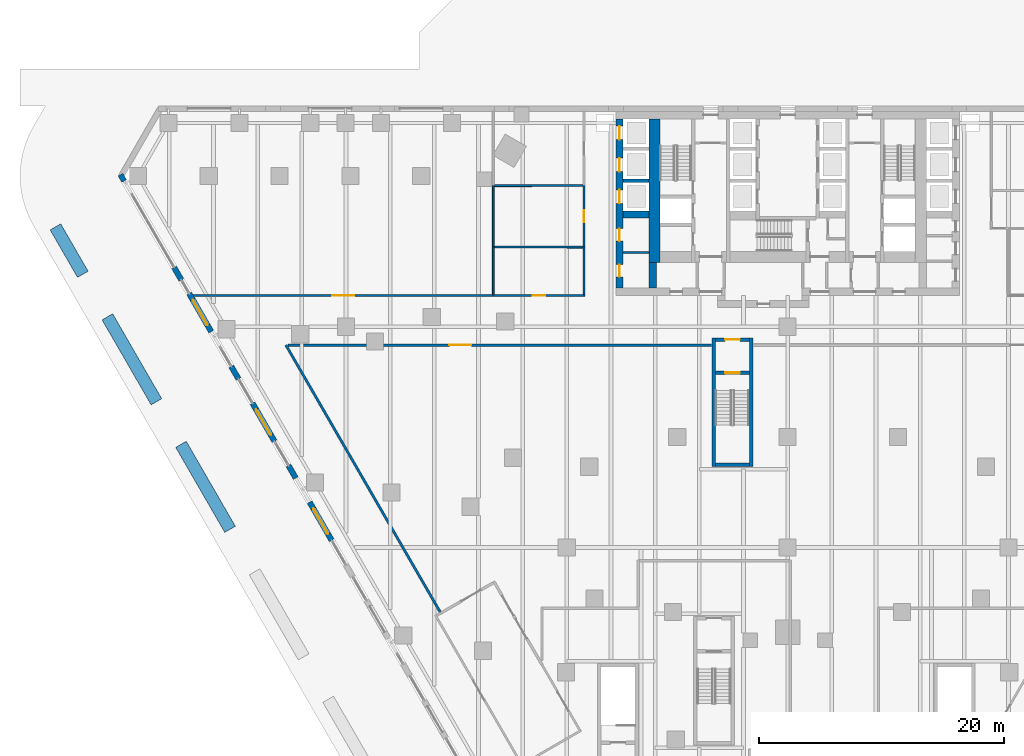
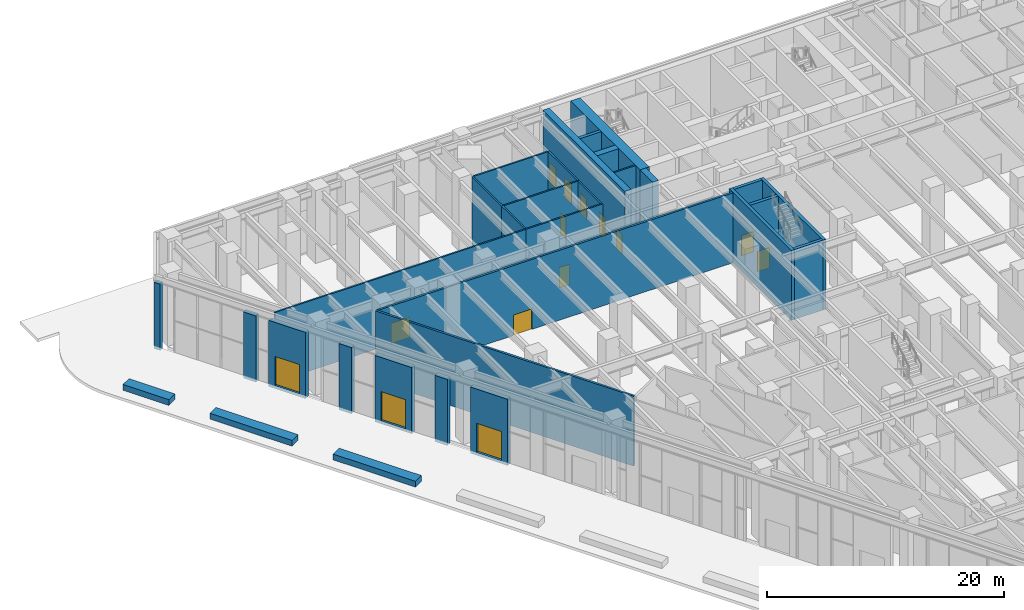
# One storey, part 28 of 37: 31 walls, 14 doors, 14 openings.
"""IFC4 building model written with IfcOpenShell, lengths in metres."""

from ifc_helpers import new_model, si_unit, direction, frame, frame_2d, origin, place, context, subcontext, project, spatial, rectangle, extrude, material, layer, layer_set, type_object, element, fill, save


model = new_model("IFC4")

# Units and contexts
model_context = context("Model", 3, precision=1e-05, world=origin(), true_north=direction((0.0, 1.0)))
body_context = subcontext(model_context, "Body", "Model", "MODEL_VIEW")
ifc_project = project(units=[si_unit("LENGTHUNIT", "METRE"), si_unit("AREAUNIT", "SQUARE_METRE"), si_unit("VOLUMEUNIT", "CUBIC_METRE"), si_unit("PLANEANGLEUNIT", "RADIAN"), si_unit("MASSUNIT", "GRAM", prefix="KILO")], contexts=[model_context])

# Site, building, storey
site_placement = place(None, origin())
site = spatial("IfcSite", under=ifc_project, at=site_placement, CompositionType="ELEMENT")
building_placement = place(site_placement, origin())
building = spatial("IfcBuilding", under=site, at=building_placement, Name="Aloe Facet Convention Tower", CompositionType="ELEMENT")
storey_placement = place(building_placement, origin())
storey = spatial("IfcBuildingStorey", under=building, at=storey_placement, Name="L00", CompositionType="ELEMENT", Elevation=0.0)

# Walls
ifc_material_1 = material(Name="Concrete blockwork partition", Category="masonry")
ifc_layer_1 = layer(ifc_material_1, 0.14990234375)
ifc_layer_set_1 = layer_set([ifc_layer_1], Name="CR-W-PART150")
wall_type_1 = type_object("IfcWallType", Name="CR-W-PART150", PredefinedType="PARTITIONING", material=ifc_layer_set_1)
wall_1_placement = place(storey_placement, frame((66.60009765625, 123.048583984375, 0.0), z_axis=(0.0, 0.0, 1.0), x_axis=(1.0, 0.0, 0.0)))
element("IfcWall", 1, at=wall_1_placement, inside=storey, type_object=wall_type_1, Name="Core partition L00-007", PredefinedType="PARTITIONING", context=body_context, shape_type="SweptSolid", body=[
    extrude(rectangle(XDim=2.099853515625, YDim=0.14990234375, at=frame_2d((1.0498046875, 0.0))), origin(), (0.0, 0.0, 1.0), 7.199951171875),
])
ifc_material_2 = material(Name="Concrete C50/60", Category="concrete")
ifc_layer_2 = layer(ifc_material_2, 0.300048828125)
ifc_layer_set_2 = layer_set([ifc_layer_2], Name="CR-W-RC300-C5060")
wall_type_2 = type_object("IfcWallType", Name="CR-W-RC300-C5060", PredefinedType="SOLIDWALL", material=ifc_layer_set_2)
for number, where, z_axis, x_axis, name in (
    (2, (73.97509765625, 105.60009765625, 0.0), (0.0, 0.0, 1.0), (0.0, 1.0, 0.0), "Exit stair wall L00-06"),
    (3, (77.02490234375, 105.60009765625, 0.0), (0.0, 0.0, 1.0), (0.0, 1.0, 0.0), "Exit stair wall L00-07"),
):
    element("IfcWall", number, at=place(storey_placement, frame(where, z_axis=z_axis, x_axis=x_axis)), inside=storey, type_object=wall_type_2, Name=name, PredefinedType="SOLIDWALL", context=body_context, shape_type="SweptSolid", body=[
        extrude(rectangle(XDim=10.5, YDim=0.300048828125, at=frame_2d((5.25, 0.0))), origin(), (0.0, 0.0, 1.0), 7.199951171875),
    ])
wall_2_placement = place(storey_placement, frame((74.125, 105.75, 0.0), z_axis=(0.0, 0.0, 1.0), x_axis=(1.0, 0.0, 0.0)))
element("IfcWall", 4, at=wall_2_placement, inside=storey, type_object=wall_type_2, Name="Exit stair wall L00-08", PredefinedType="SOLIDWALL", context=body_context, shape_type="SweptSolid", body=[
    extrude(rectangle(XDim=2.75, YDim=0.300048828125, at=frame_2d((1.375, 0.0))), origin(), (0.0, 0.0, 1.0), 7.199951171875),
])

# Wall, opening, door
wall_3_placement = place(storey_placement, frame((74.125, 113.25, 0.0), z_axis=(0.0, 0.0, 1.0), x_axis=(1.0, 0.0, 0.0)))
wall_3 = element("IfcWall", 5, at=wall_3_placement, inside=storey, type_object=wall_type_2, Name="Exit stair wall L00-09", PredefinedType="SOLIDWALL", context=body_context, shape_type="SweptSolid", body=[
    extrude(rectangle(XDim=2.75, YDim=0.300048828125, at=frame_2d((1.375, 0.0))), origin(), (0.0, 0.0, 1.0), 7.199951171875),
])
opening_1_placement = place(wall_3_placement, frame((0.77490234375, 0.0, 0.0)))
opening_1 = element("IfcOpeningElement", 6, at=opening_1_placement, cuts=wall_3, Name="Opening L00-ST5-01", PredefinedType="OPENING", context=body_context, shape_type="SweptSolid", body=[
    extrude(rectangle(XDim=1.199951171875, YDim=2.10009765625, at=frame_2d((0.60009765625, 1.050048828125))), frame((0.0, 0.16015625, 0.0), z_axis=(0.0, -1.0, 0.0), x_axis=(1.0, 0.0, 0.0)), (0.0, 0.0, 1.0), 0.320068359375),
])
ifc_material_3 = material(Name="Steel fire-resisting door set FD120", Category="steel")
door_type_1 = type_object("IfcDoorType", Name="CR-D-STAIR-1200-FD120-SLEFT", OperationType="SINGLE_SWING_LEFT", PredefinedType="DOOR", material=ifc_material_3)
door_1_placement = place(opening_1_placement, origin())
door_1 = element("IfcDoor", 7, at=door_1_placement, inside=storey, type_object=door_type_1, Name="Stair door L00-ST5-01", OperationType="SINGLE_SWING_LEFT", OverallHeight=2.10009765625, OverallWidth=1.199951171875, PredefinedType="DOOR", context=body_context, shape_type="SweptSolid", body=[
    extrude(rectangle(XDim=1.199951171875, YDim=2.10009765625, at=frame_2d((0.60009765625, 1.050048828125))), frame((0.0, 0.02490234375, 0.0), z_axis=(0.0, -1.0, 0.0), x_axis=(1.0, 0.0, 0.0)), (0.0, 0.0, 1.0), 0.050048828125),
])
fill(opening_1, door_1)

wall_4_placement = place(storey_placement, frame((74.125, 115.949951171875, 0.0), z_axis=(0.0, 0.0, 1.0), x_axis=(1.0, 0.0, 0.0)))
wall_4 = element("IfcWall", 8, at=wall_4_placement, inside=storey, type_object=wall_type_2, Name="Exit stair wall L00-10", PredefinedType="SOLIDWALL", context=body_context, shape_type="SweptSolid", body=[
    extrude(rectangle(XDim=2.75, YDim=0.300048828125, at=frame_2d((1.375, 0.0))), origin(), (0.0, 0.0, 1.0), 7.199951171875),
])
opening_2_placement = place(wall_4_placement, frame((0.77490234375, 0.0, 0.0)))
opening_2 = element("IfcOpeningElement", 9, at=opening_2_placement, cuts=wall_4, Name="Opening L00-ST5-02", PredefinedType="OPENING", context=body_context, shape_type="SweptSolid", body=[
    extrude(rectangle(XDim=1.199951171875, YDim=2.10009765625, at=frame_2d((0.60009765625, 1.050048828125))), frame((0.0, 0.16015625, 0.0), z_axis=(0.0, -1.0, 0.0), x_axis=(1.0, 0.0, 0.0)), (0.0, 0.0, 1.0), 0.320068359375),
])
ifc_material_4 = material(Name="Steel fire-resisting door set FD60", Category="steel")
door_type_2 = type_object("IfcDoorType", Name="CR-D-EXIT-1200-FD60-SRIGHT", OperationType="SINGLE_SWING_RIGHT", PredefinedType="DOOR", material=ifc_material_4)
door_2_placement = place(opening_2_placement, origin())
door_2 = element("IfcDoor", 10, at=door_2_placement, inside=storey, type_object=door_type_2, Name="Stair lobby door L00-ST5-02", OperationType="SINGLE_SWING_RIGHT", OverallHeight=2.10009765625, OverallWidth=1.199951171875, PredefinedType="DOOR", context=body_context, shape_type="SweptSolid", body=[
    extrude(rectangle(XDim=1.199951171875, YDim=2.10009765625, at=frame_2d((0.60009765625, 1.050048828125))), frame((0.0, 0.02490234375, 0.0), z_axis=(0.0, -1.0, 0.0), x_axis=(1.0, 0.0, 0.0)), (0.0, 0.0, 1.0), 0.050048828125),
])
fill(opening_2, door_2)

# Wall
ifc_material_5 = material(Name="Concrete C80/95", Category="concrete")
ifc_layer_3 = layer(ifc_material_5, 0.300048828125)
ifc_layer_set_3 = layer_set([ifc_layer_3], Name="CR-W-RC300-C8095")
wall_type_3 = type_object("IfcWallType", Name="CR-W-RC300-C8095", PredefinedType="SOLIDWALL", material=ifc_layer_set_3)
wall_5_placement = place(storey_placement, frame((66.60009765625, 128.89990234375, 0.0), z_axis=(0.0, 0.0, 1.0), x_axis=(1.0, 0.0, 0.0)))
element("IfcWall", 11, at=wall_5_placement, inside=storey, type_object=wall_type_3, Name="Core wall L00-005", PredefinedType="SOLIDWALL", context=body_context, shape_type="SweptSolid", body=[
    extrude(rectangle(XDim=2.099853515625, YDim=0.300048828125, at=frame_2d((1.0498046875, 0.0))), origin(), (0.0, 0.0, 1.0), 7.199951171875),
])

# Wall, openings, doors
ifc_material_6 = material(Name="Concrete C80/95", Category="concrete")
ifc_layer_4 = layer(ifc_material_6, 0.60009765625)
ifc_layer_set_4 = layer_set([ifc_layer_4], Name="CR-W-RC600-C8095")
wall_type_4 = type_object("IfcWallType", Name="CR-W-RC600-C8095", PredefinedType="SOLIDWALL", material=ifc_layer_set_4)
wall_6_placement = place(storey_placement, frame((66.300048828125, 133.949951171875, 0.0), z_axis=(0.0, 0.0, 1.0), x_axis=(0.0, -1.0, 0.0)))
wall_6 = element("IfcWall", 12, at=wall_6_placement, inside=storey, type_object=wall_type_4, Name="Core wall L00-002", PredefinedType="SOLIDWALL", context=body_context, shape_type="SweptSolid", body=[
    extrude(rectangle(XDim=13.800048828125, YDim=0.60009765625, at=frame_2d((6.89990234375, 0.0))), origin(), (0.0, 0.0, 1.0), 7.199951171875),
])
opening_3_placement = place(wall_6_placement, frame((0.60009765625, 0.0, 0.0)))
opening_3 = element("IfcOpeningElement", 13, at=opening_3_placement, cuts=wall_6, Name="Opening LD-A7-L00", PredefinedType="OPENING", context=body_context, shape_type="SweptSolid", body=[
    extrude(rectangle(XDim=1.10009765625, YDim=2.10009765625, at=frame_2d((0.550048828125, 1.050048828125))), frame((0.0, 0.31005859375, 0.0), z_axis=(0.0, -1.0, 0.0), x_axis=(1.0, 0.0, 0.0)), (0.0, 0.0, 1.0), 0.6201171875),
])
opening_4_placement = place(wall_6_placement, frame((3.199951171875, 0.0, 0.0)))
opening_4 = element("IfcOpeningElement", 14, at=opening_4_placement, cuts=wall_6, Name="Opening LD-SH1-L00", PredefinedType="OPENING", context=body_context, shape_type="SweptSolid", body=[
    extrude(rectangle(XDim=1.10009765625, YDim=2.10009765625, at=frame_2d((0.550048828125, 1.050048828125))), frame((0.0, 0.31005859375, 0.0), z_axis=(0.0, -1.0, 0.0), x_axis=(1.0, 0.0, 0.0)), (0.0, 0.0, 1.0), 0.6201171875),
])
opening_5_placement = place(wall_6_placement, frame((5.800048828125, 0.0, 0.0)))
opening_5 = element("IfcOpeningElement", 15, at=opening_5_placement, cuts=wall_6, Name="Opening LD-SH2-L00", PredefinedType="OPENING", context=body_context, shape_type="SweptSolid", body=[
    extrude(rectangle(XDim=1.10009765625, YDim=2.10009765625, at=frame_2d((0.550048828125, 1.050048828125))), frame((0.0, 0.31005859375, 0.0), z_axis=(0.0, -1.0, 0.0), x_axis=(1.0, 0.0, 0.0)), (0.0, 0.0, 1.0), 0.6201171875),
])
opening_6_placement = place(wall_6_placement, frame((8.963134765625, 0.0, 0.0)))
opening_6 = element("IfcOpeningElement", 16, at=opening_6_placement, cuts=wall_6, Name="Opening L00-CD36", PredefinedType="OPENING", context=body_context, shape_type="SweptSolid", body=[
    extrude(rectangle(XDim=1.0, YDim=2.10009765625, at=frame_2d((0.5, 1.050048828125))), frame((0.0, 0.31005859375, 0.0), z_axis=(0.0, -1.0, 0.0), x_axis=(1.0, 0.0, 0.0)), (0.0, 0.0, 1.0), 0.6201171875),
])
opening_7_placement = place(wall_6_placement, frame((11.88818359375, 0.0, 0.0)))
opening_7 = element("IfcOpeningElement", 17, at=opening_7_placement, cuts=wall_6, Name="Opening L00-CD37", PredefinedType="OPENING", context=body_context, shape_type="SweptSolid", body=[
    extrude(rectangle(XDim=1.0, YDim=2.10009765625, at=frame_2d((0.5, 1.050048828125))), frame((0.0, 0.31005859375, 0.0), z_axis=(0.0, -1.0, 0.0), x_axis=(1.0, 0.0, 0.0)), (0.0, 0.0, 1.0), 0.6201171875),
])
ifc_material_7 = material(Name="Steel fire-resisting door set FD60", Category="steel")
door_type_3 = type_object("IfcDoorType", Name="CR-D-ROOM-1000-FD60-SLEFT", OperationType="SINGLE_SWING_LEFT", PredefinedType="DOOR", material=ifc_material_7)
door_3_placement = place(opening_6_placement, origin())
door_3 = element("IfcDoor", 18, at=door_3_placement, inside=storey, type_object=door_type_3, Name="Core door L00-CD36", OperationType="SINGLE_SWING_LEFT", OverallHeight=2.10009765625, OverallWidth=1.0, PredefinedType="DOOR", context=body_context, shape_type="SweptSolid", body=[
    extrude(rectangle(XDim=1.0, YDim=2.10009765625, at=frame_2d((0.5, 1.050048828125))), frame((0.0, 0.02490234375, 0.0), z_axis=(0.0, -1.0, 0.0), x_axis=(1.0, 0.0, 0.0)), (0.0, 0.0, 1.0), 0.050048828125),
])
fill(opening_6, door_3)
door_4_placement = place(opening_7_placement, origin())
door_4 = element("IfcDoor", 19, at=door_4_placement, inside=storey, type_object=door_type_3, Name="Core door L00-CD37", OperationType="SINGLE_SWING_LEFT", OverallHeight=2.10009765625, OverallWidth=1.0, PredefinedType="DOOR", context=body_context, shape_type="SweptSolid", body=[
    extrude(rectangle(XDim=1.0, YDim=2.10009765625, at=frame_2d((0.5, 1.050048828125))), frame((0.0, 0.02490234375, 0.0), z_axis=(0.0, -1.0, 0.0), x_axis=(1.0, 0.0, 0.0)), (0.0, 0.0, 1.0), 0.050048828125),
])
fill(opening_7, door_4)
ifc_material_8 = material(Name="Stainless steel sliding landing door", Category="steel")
door_type_4 = type_object("IfcDoorType", Name="CR-LD-1100-FD60-_LEFT", OperationType="SLIDING_TO_LEFT", PredefinedType="DOOR", material=ifc_material_8)
door_5_placement = place(opening_3_placement, origin())
door_5 = element("IfcDoor", 20, at=door_5_placement, inside=storey, type_object=door_type_4, Name="Landing door A7 L00", OperationType="SLIDING_TO_LEFT", OverallHeight=2.10009765625, OverallWidth=1.10009765625, PredefinedType="DOOR", context=body_context, shape_type="SweptSolid", body=[
    extrude(rectangle(XDim=1.10009765625, YDim=2.10009765625, at=frame_2d((0.550048828125, 1.050048828125))), frame((0.0, 0.02490234375, 0.0), z_axis=(0.0, -1.0, 0.0), x_axis=(1.0, 0.0, 0.0)), (0.0, 0.0, 1.0), 0.050048828125),
])
fill(opening_3, door_5)
door_6_placement = place(opening_4_placement, origin())
door_6 = element("IfcDoor", 21, at=door_6_placement, inside=storey, type_object=door_type_4, Name="Landing door SH1 L00", OperationType="SLIDING_TO_LEFT", OverallHeight=2.10009765625, OverallWidth=1.10009765625, PredefinedType="DOOR", context=body_context, shape_type="SweptSolid", body=[
    extrude(rectangle(XDim=1.10009765625, YDim=2.10009765625, at=frame_2d((0.550048828125, 1.050048828125))), frame((0.0, 0.02490234375, 0.0), z_axis=(0.0, -1.0, 0.0), x_axis=(1.0, 0.0, 0.0)), (0.0, 0.0, 1.0), 0.050048828125),
])
fill(opening_4, door_6)
door_7_placement = place(opening_5_placement, origin())
door_7 = element("IfcDoor", 22, at=door_7_placement, inside=storey, type_object=door_type_4, Name="Landing door SH2 L00", OperationType="SLIDING_TO_LEFT", OverallHeight=2.10009765625, OverallWidth=1.10009765625, PredefinedType="DOOR", context=body_context, shape_type="SweptSolid", body=[
    extrude(rectangle(XDim=1.10009765625, YDim=2.10009765625, at=frame_2d((0.550048828125, 1.050048828125))), frame((0.0, 0.02490234375, 0.0), z_axis=(0.0, -1.0, 0.0), x_axis=(1.0, 0.0, 0.0)), (0.0, 0.0, 1.0), 0.050048828125),
])
fill(opening_5, door_7)

# Walls
wall_7_placement = place(storey_placement, frame((66.60009765625, 126.14990234375, 0.0), z_axis=(0.0, 0.0, 1.0), x_axis=(1.0, 0.0, 0.0)))
element("IfcWall", 23, at=wall_7_placement, inside=storey, type_object=wall_type_4, Name="Core wall L00-006", PredefinedType="SOLIDWALL", context=body_context, shape_type="SweptSolid", body=[
    extrude(rectangle(XDim=2.099853515625, YDim=0.60009765625, at=frame_2d((1.0498046875, 0.0))), origin(), (0.0, 0.0, 1.0), 7.199951171875),
])
wall_8_placement = place(storey_placement, frame((69.0, 122.25, 0.0), z_axis=(0.0, 0.0, 1.0), x_axis=(0.0, -1.0, 0.0)))
element("IfcWall", 24, at=wall_8_placement, inside=storey, type_object=wall_type_4, Name="Core wall L00-009", PredefinedType="SOLIDWALL", context=body_context, shape_type="SweptSolid", body=[
    extrude(rectangle(XDim=2.10009765625, YDim=0.60009765625, at=frame_2d((1.050048828125, 0.0))), origin(), (0.0, 0.0, 1.0), 7.199951171875),
])
ifc_material_9 = material(Name="Concrete C80/95", Category="concrete")
ifc_layer_5 = layer(ifc_material_9, 0.89990234375)
ifc_layer_set_5 = layer_set([ifc_layer_5], Name="CR-W-RC900-C8095")
wall_type_5 = type_object("IfcWallType", Name="CR-W-RC900-C8095", PredefinedType="SOLIDWALL", material=ifc_layer_set_5)
wall_9_placement = place(storey_placement, frame((69.14990234375, 133.949951171875, 0.0), z_axis=(0.0, 0.0, 1.0), x_axis=(0.0, -1.0, 0.0)))
element("IfcWall", 25, at=wall_9_placement, inside=storey, type_object=wall_type_5, Name="Core wall L00-008", PredefinedType="SOLIDWALL", context=body_context, shape_type="SweptSolid", body=[
    extrude(rectangle(XDim=11.699951171875, YDim=0.89990234375, at=frame_2d((5.85009765625, 0.0))), origin(), (0.0, 0.0, 1.0), 7.199951171875),
])
ifc_material_10 = material(Name="Precast concrete C40/50", Category="concrete")
ifc_layer_6 = layer(ifc_material_10, 1.0)
ifc_layer_set_6 = layer_set([ifc_layer_6], Name="EV-PLANTER-BED")
wall_type_6 = type_object("IfcWallType", Name="EV-PLANTER-BED", PredefinedType="STANDARD", material=ifc_layer_set_6)
for number, where, z_axis, x_axis, name in (
    (26, (34.552978515625, 100.487060546875, 0.0), (0.0, 0.0, 1.0), (-0.49999894854, 0.866026010844, 0.0), "PLANTER G-17"),
    (27, (28.552978515625, 110.87939453125, 0.0), (0.0, 0.0, 1.0), (-0.49999894854, 0.866026010844, 0.0), "PLANTER G-18"),
):
    element("IfcWall", number, at=place(storey_placement, frame(where, z_axis=z_axis, x_axis=x_axis)), inside=storey, type_object=wall_type_6, Name=name, PredefinedType="STANDARD", context=body_context, shape_type="SweptSolid", body=[
        extrude(rectangle(XDim=8.0, YDim=1.0, at=frame_2d((4.0, 0.0))), origin(), (0.0, 0.0, 1.0), 0.60009765625),
    ])
wall_10_placement = place(storey_placement, frame((22.552978515625, 121.271728515625, 0.0), z_axis=(0.0, 0.0, 1.0), x_axis=(-0.499992336327, 0.866029828363, 0.0)))
element("IfcWall", 28, at=wall_10_placement, inside=storey, type_object=wall_type_6, Name="PLANTER G-19", PredefinedType="STANDARD", context=body_context, shape_type="SweptSolid", body=[
    extrude(rectangle(XDim=4.46337890625, YDim=1.0, at=frame_2d((2.231689453125, 0.0))), origin(), (0.0, 0.0, 1.0), 0.60009765625),
])
ifc_material_11 = material(Name="Precast concrete C40/50", Category="concrete")
ifc_layer_7 = layer(ifc_material_11, 0.449951171875)
ifc_layer_set_7 = layer_set([ifc_layer_7], Name="EV-WALL-STONE")
wall_type_7 = type_object("IfcWallType", Name="EV-WALL-STONE", PredefinedType="SOLIDWALL", material=ifc_layer_set_7)
wall_11_placement = place(storey_placement, frame((25.62744140625, 129.396728515625, -0.300048828125), z_axis=(0.0, 0.0, 1.0), x_axis=(0.499816412211, -0.866131372301, 0.0)))
element("IfcWall", 29, at=wall_11_placement, inside=storey, type_object=wall_type_7, Name="PW-L00-W01", PredefinedType="SOLIDWALL", context=body_context, shape_type="SweptSolid", body=[
    extrude(rectangle(XDim=0.599853515625, YDim=0.449951171875, at=frame_2d((0.2998046875, 0.0))), origin(), (0.0, 0.0, 1.0), 6.8125),
])
wall_12_placement = place(storey_placement, frame((29.988037109375, 121.84375, -0.300048828125), z_axis=(0.0, 0.0, 1.0), x_axis=(0.50012165622, -0.865955154139, 0.0)))
element("IfcWall", 30, at=wall_12_placement, inside=storey, type_object=wall_type_7, Name="PW-L00-W03", PredefinedType="SOLIDWALL", context=body_context, shape_type="SweptSolid", body=[
    extrude(rectangle(XDim=1.199951171875, YDim=0.449951171875, at=frame_2d((0.60009765625, 0.0))), origin(), (0.0, 0.0, 1.0), 6.8125),
])

# Wall, opening, door
wall_13_placement = place(storey_placement, frame((31.21826171875, 119.712890625, -0.300048828125), z_axis=(0.0, 0.0, 1.0), x_axis=(0.500012057535, -0.866018442252, 0.0)))
wall_13 = element("IfcWall", 31, at=wall_13_placement, inside=storey, type_object=wall_type_7, Name="PW-L00-W04", PredefinedType="SOLIDWALL", context=body_context, shape_type="SweptSolid", body=[
    extrude(rectangle(XDim=3.60009765625, YDim=0.449951171875, at=frame_2d((1.800048828125, 0.0))), origin(), (0.0, 0.0, 1.0), 6.8125),
])
opening_8_placement = place(wall_13_placement, frame((0.60009765625, 0.0, 0.300048828125)))
opening_8 = element("IfcOpeningElement", 32, at=opening_8_placement, cuts=wall_13, Name="Opening D-L00-W04", PredefinedType="OPENING", context=body_context, shape_type="SweptSolid", body=[
    extrude(rectangle(XDim=2.39990234375, YDim=3.0, at=frame_2d((1.199951171875, 1.5))), frame((0.0, 0.23486328125, 0.0), z_axis=(0.0, -1.0, 0.0), x_axis=(1.0, 0.0, 0.0)), (0.0, 0.0, 1.0), 0.469970703125),
])
ifc_material_12 = material(Name="Aluminium frame, clear double glazing", Category="aluminium")
door_type_5 = type_object("IfcDoorType", Name="EV-DOOR-ENTRY", OperationType="DOUBLE_DOOR_SINGLE_SWING", PredefinedType="DOOR", material=ifc_material_12)
door_8_placement = place(opening_8_placement, origin())
door_8 = element("IfcDoor", 33, at=door_8_placement, inside=storey, type_object=door_type_5, Name="D-L00-W04", OperationType="DOUBLE_DOOR_SINGLE_SWING", OverallHeight=3.0, OverallWidth=2.39990234375, PredefinedType="DOOR", context=body_context, shape_type="SweptSolid", body=[
    extrude(rectangle(XDim=2.39990234375, YDim=3.0, at=frame_2d((1.199951171875, 1.5))), frame((0.0, 0.02490234375, 0.0), z_axis=(0.0, -1.0, 0.0), x_axis=(1.0, 0.0, 0.0)), (0.0, 0.0, 1.0), 0.050048828125),
])
fill(opening_8, door_8)

# Wall
wall_14_placement = place(storey_placement, frame((34.648681640625, 113.771240234375, -0.300048828125), z_axis=(0.0, 0.0, 1.0), x_axis=(0.500033551112, -0.866006032174, 0.0)))
element("IfcWall", 34, at=wall_14_placement, inside=storey, type_object=wall_type_7, Name="PW-L00-W05", PredefinedType="SOLIDWALL", context=body_context, shape_type="SweptSolid", body=[
    extrude(rectangle(XDim=1.2001953125, YDim=0.449951171875, at=frame_2d((0.60009765625, 0.0))), origin(), (0.0, 0.0, 1.0), 6.8125),
])

# Wall, opening, door
wall_15_placement = place(storey_placement, frame((36.379150390625, 110.774169921875, -0.300048828125), z_axis=(0.0, 0.0, 1.0), x_axis=(0.499961193289, -0.866047807691, 0.0)))
wall_15 = element("IfcWall", 35, at=wall_15_placement, inside=storey, type_object=wall_type_7, Name="PW-L00-W06", PredefinedType="SOLIDWALL", context=body_context, shape_type="SweptSolid", body=[
    extrude(rectangle(XDim=3.599853515625, YDim=0.449951171875, at=frame_2d((1.7998046875, 0.0))), origin(), (0.0, 0.0, 1.0), 6.8125),
])
opening_9_placement = place(wall_15_placement, frame((0.60009765625, 0.0, 0.300048828125)))
opening_9 = element("IfcOpeningElement", 36, at=opening_9_placement, cuts=wall_15, Name="Opening D-L00-W06", PredefinedType="OPENING", context=body_context, shape_type="SweptSolid", body=[
    extrude(rectangle(XDim=2.39990234375, YDim=3.0, at=frame_2d((1.199951171875, 1.5))), frame((0.0, 0.23486328125, 0.0), z_axis=(0.0, -1.0, 0.0), x_axis=(1.0, 0.0, 0.0)), (0.0, 0.0, 1.0), 0.469970703125),
])
door_9_placement = place(opening_9_placement, origin())
door_9 = element("IfcDoor", 37, at=door_9_placement, inside=storey, type_object=door_type_5, Name="D-L00-W06", OperationType="DOUBLE_DOOR_SINGLE_SWING", OverallHeight=3.0, OverallWidth=2.39990234375, PredefinedType="DOOR", context=body_context, shape_type="SweptSolid", body=[
    extrude(rectangle(XDim=2.39990234375, YDim=3.0, at=frame_2d((1.199951171875, 1.5))), frame((0.0, 0.02490234375, 0.0), z_axis=(0.0, -1.0, 0.0), x_axis=(1.0, 0.0, 0.0)), (0.0, 0.0, 1.0), 0.050048828125),
])
fill(opening_9, door_9)

# Wall
wall_16_placement = place(storey_placement, frame((39.309326171875, 105.69873046875, -0.300048828125), z_axis=(0.0, 0.0, 1.0), x_axis=(0.500033551112, -0.866006032174, 0.0)))
element("IfcWall", 38, at=wall_16_placement, inside=storey, type_object=wall_type_7, Name="PW-L00-W07", PredefinedType="SOLIDWALL", context=body_context, shape_type="SweptSolid", body=[
    extrude(rectangle(XDim=1.2001953125, YDim=0.449951171875, at=frame_2d((0.60009765625, 0.0))), origin(), (0.0, 0.0, 1.0), 6.8125),
])

# Wall, opening, door
wall_17_placement = place(storey_placement, frame((41.039794921875, 102.70166015625, -0.300048828125), z_axis=(0.0, 0.0, 1.0), x_axis=(0.500012057535, -0.866018442252, 0.0)))
wall_17 = element("IfcWall", 39, at=wall_17_placement, inside=storey, type_object=wall_type_7, Name="PW-L00-W08", PredefinedType="SOLIDWALL", context=body_context, shape_type="SweptSolid", body=[
    extrude(rectangle(XDim=3.60009765625, YDim=0.449951171875, at=frame_2d((1.800048828125, 0.0))), origin(), (0.0, 0.0, 1.0), 6.8125),
])
opening_10_placement = place(wall_17_placement, frame((0.60009765625, 0.0, 0.300048828125)))
opening_10 = element("IfcOpeningElement", 40, at=opening_10_placement, cuts=wall_17, Name="Opening D-L00-W08", PredefinedType="OPENING", context=body_context, shape_type="SweptSolid", body=[
    extrude(rectangle(XDim=2.39990234375, YDim=3.0, at=frame_2d((1.199951171875, 1.5))), frame((0.0, 0.23486328125, 0.0), z_axis=(0.0, -1.0, 0.0), x_axis=(1.0, 0.0, 0.0)), (0.0, 0.0, 1.0), 0.469970703125),
])
door_10_placement = place(opening_10_placement, origin())
door_10 = element("IfcDoor", 41, at=door_10_placement, inside=storey, type_object=door_type_5, Name="D-L00-W08", OperationType="DOUBLE_DOOR_SINGLE_SWING", OverallHeight=3.0, OverallWidth=2.39990234375, PredefinedType="DOOR", context=body_context, shape_type="SweptSolid", body=[
    extrude(rectangle(XDim=2.39990234375, YDim=3.0, at=frame_2d((1.199951171875, 1.5))), frame((0.0, 0.02490234375, 0.0), z_axis=(0.0, -1.0, 0.0), x_axis=(1.0, 0.0, 0.0)), (0.0, 0.0, 1.0), 0.050048828125),
])
fill(opening_10, door_10)

# Wall
ifc_material_13 = material(Name="Masonry blockwork wall, plastered", Category="masonry")
ifc_layer_8 = layer(ifc_material_13, 0.199951171875)
ifc_layer_set_8 = layer_set([ifc_layer_8], Name="IN-POD-W-ASSY")
wall_type_8 = type_object("IfcWallType", Name="IN-POD-W-ASSY", PredefinedType="PARTITIONING", material=ifc_layer_set_8)
wall_18_placement = place(storey_placement, frame((39.106689453125, 115.5, 0.0), z_axis=(0.0, 0.0, 1.0), x_axis=(0.500342688238, -0.865827462215, 0.0)))
element("IfcWall", 42, at=wall_18_placement, inside=storey, type_object=wall_type_8, Name="Partition L00-W030", PredefinedType="PARTITIONING", context=body_context, shape_type="SweptSolid", body=[
    extrude(rectangle(XDim=25.120361328125, YDim=0.199951171875, at=frame_2d((12.56005859375, 0.0))), origin(), (0.0, 0.0, 1.0), 7.199951171875),
])

# Wall, opening, door
wall_19_placement = place(storey_placement, frame((39.2666015625, 115.5, 0.0), z_axis=(0.0, 0.0, 1.0), x_axis=(1.0, 0.0, 0.0)))
wall_19 = element("IfcWall", 43, at=wall_19_placement, inside=storey, type_object=wall_type_8, Name="Partition L00-W039", PredefinedType="PARTITIONING", context=body_context, shape_type="SweptSolid", body=[
    extrude(rectangle(XDim=34.538330078125, YDim=0.199951171875, at=frame_2d((17.26904296875, 0.0))), origin(), (0.0, 0.0, 1.0), 7.199951171875),
])
opening_11_placement = place(wall_19_placement, frame((13.1552734375, 0.0, 0.0)))
opening_11 = element("IfcOpeningElement", 44, at=opening_11_placement, cuts=wall_19, Name="Opening L00-023", PredefinedType="OPENING", context=body_context, shape_type="SweptSolid", body=[
    extrude(rectangle(XDim=1.800048828125, YDim=2.10009765625, at=frame_2d((0.89990234375, 1.050048828125))), frame((0.0, 0.10986328125, 0.0), z_axis=(0.0, -1.0, 0.0), x_axis=(1.0, 0.0, 0.0)), (0.0, 0.0, 1.0), 0.219970703125),
])
ifc_material_14 = material(Name="Hardwood flush door pair", Category="wood")
door_type_6 = type_object("IfcDoorType", Name="IN-POD-D-PAIR", OperationType="DOUBLE_DOOR_SINGLE_SWING", PredefinedType="DOOR", material=ifc_material_14)
door_11_placement = place(opening_11_placement, origin())
door_11 = element("IfcDoor", 45, at=door_11_placement, inside=storey, type_object=door_type_6, Name="Door L00-023", OperationType="SINGLE_SWING_LEFT", OverallHeight=2.10009765625, OverallWidth=1.800048828125, PredefinedType="DOOR", context=body_context, shape_type="SweptSolid", body=[
    extrude(rectangle(XDim=1.800048828125, YDim=2.10009765625, at=frame_2d((0.89990234375, 1.050048828125))), frame((0.0, 0.02490234375, 0.0), z_axis=(0.0, -1.0, 0.0), x_axis=(1.0, 0.0, 0.0)), (0.0, 0.0, 1.0), 0.050048828125),
])
fill(opening_11, door_11)

ifc_material_15 = material(Name="Gypsum board partition on steel studs, double layer", Category="steel")
ifc_layer_9 = layer(ifc_material_15, 0.14990234375)
ifc_layer_set_9 = layer_set([ifc_layer_9], Name="IN-POD-W-CORR")
wall_type_9 = type_object("IfcWallType", Name="IN-POD-W-CORR", PredefinedType="PARTITIONING", material=ifc_layer_set_9)
wall_20_placement = place(storey_placement, frame((31.572509765625, 119.550048828125, 0.0), z_axis=(0.0, 0.0, 1.0), x_axis=(1.0, 0.0, 0.0)))
wall_20 = element("IfcWall", 46, at=wall_20_placement, inside=storey, type_object=wall_type_9, Name="Partition L00-W042", PredefinedType="PARTITIONING", context=body_context, shape_type="SweptSolid", body=[
    extrude(rectangle(XDim=24.4375, YDim=0.14990234375, at=frame_2d((12.21875, 0.0))), origin(), (0.0, 0.0, 1.0), 7.199951171875),
])
opening_12_placement = place(wall_20_placement, frame((11.31884765625, 0.0, 0.0)))
opening_12 = element("IfcOpeningElement", 47, at=opening_12_placement, cuts=wall_20, Name="Opening L00-001", PredefinedType="OPENING", context=body_context, shape_type="SweptSolid", body=[
    extrude(rectangle(XDim=1.800048828125, YDim=2.10009765625, at=frame_2d((0.89990234375, 1.050048828125))), frame((0.0, 0.0849609375, 0.0), z_axis=(0.0, -1.0, 0.0), x_axis=(1.0, 0.0, 0.0)), (0.0, 0.0, 1.0), 0.169921875),
])
ifc_material_16 = material(Name="Steel flush door pair, galvanised", Category="steel")
door_type_7 = type_object("IfcDoorType", Name="IN-POD-D-PLANTPAIR", OperationType="DOUBLE_DOOR_SINGLE_SWING", PredefinedType="DOOR", material=ifc_material_16)
door_12_placement = place(opening_12_placement, origin())
door_12 = element("IfcDoor", 48, at=door_12_placement, inside=storey, type_object=door_type_7, Name="Door L00-001", OperationType="SINGLE_SWING_LEFT", OverallHeight=2.10009765625, OverallWidth=1.800048828125, PredefinedType="DOOR", context=body_context, shape_type="SweptSolid", body=[
    extrude(rectangle(XDim=1.800048828125, YDim=2.10009765625, at=frame_2d((0.89990234375, 1.050048828125))), frame((0.0, 0.02490234375, 0.0), z_axis=(0.0, -1.0, 0.0), x_axis=(1.0, 0.0, 0.0)), (0.0, 0.0, 1.0), 0.050048828125),
])
fill(opening_12, door_12)

wall_21_placement = place(storey_placement, frame((56.010009765625, 119.550048828125, 0.0), z_axis=(0.0, 0.0, 1.0), x_axis=(1.0, 0.0, 0.0)))
wall_21 = element("IfcWall", 49, at=wall_21_placement, inside=storey, type_object=wall_type_9, Name="Partition L00-W043", PredefinedType="PARTITIONING", context=body_context, shape_type="SweptSolid", body=[
    extrude(rectangle(XDim=7.46435546875, YDim=0.14990234375, at=frame_2d((3.732177734375, 0.0))), origin(), (0.0, 0.0, 1.0), 7.199951171875),
])
opening_13_placement = place(wall_21_placement, frame((3.232177734375, 0.0, 0.0)))
opening_13 = element("IfcOpeningElement", 50, at=opening_13_placement, cuts=wall_21, Name="Opening L00-002", PredefinedType="OPENING", context=body_context, shape_type="SweptSolid", body=[
    extrude(rectangle(XDim=1.0, YDim=2.10009765625, at=frame_2d((0.5, 1.050048828125))), frame((0.0, 0.0849609375, 0.0), z_axis=(0.0, -1.0, 0.0), x_axis=(1.0, 0.0, 0.0)), (0.0, 0.0, 1.0), 0.169921875),
])
ifc_material_17 = material(Name="Steel flush door, galvanised", Category="steel")
door_type_8 = type_object("IfcDoorType", Name="IN-POD-D-PLANT", OperationType="SINGLE_SWING_LEFT", PredefinedType="DOOR", material=ifc_material_17)
door_13_placement = place(opening_13_placement, origin())
door_13 = element("IfcDoor", 51, at=door_13_placement, inside=storey, type_object=door_type_8, Name="Door L00-002", OperationType="SINGLE_SWING_LEFT", OverallHeight=2.10009765625, OverallWidth=1.0, PredefinedType="DOOR", context=body_context, shape_type="SweptSolid", body=[
    extrude(rectangle(XDim=1.0, YDim=2.10009765625, at=frame_2d((0.5, 1.050048828125))), frame((0.0, 0.02490234375, 0.0), z_axis=(0.0, -1.0, 0.0), x_axis=(1.0, 0.0, 0.0)), (0.0, 0.0, 1.0), 0.050048828125),
])
fill(opening_13, door_13)

# Walls
wall_22_placement = place(storey_placement, frame((56.009765625, 119.625, 0.0), z_axis=(0.0, 0.0, 1.0), x_axis=(-0.002520153287, 0.999996824409, 0.0)))
element("IfcWall", 52, at=wall_22_placement, inside=storey, type_object=wall_type_9, Name="Partition L00-W044", PredefinedType="PARTITIONING", context=body_context, shape_type="SweptSolid", body=[
    extrude(rectangle(XDim=3.875, YDim=0.14990234375, at=frame_2d((1.9375, 0.0))), origin(), (0.0, 0.0, 1.0), 7.199951171875),
])
wall_23_placement = place(storey_placement, frame((63.3994140625, 119.625, 0.0), z_axis=(0.0, 0.0, 1.0), x_axis=(0.000126334406, 0.99999999202, 0.0)))
element("IfcWall", 53, at=wall_23_placement, inside=storey, type_object=wall_type_9, Name="Partition L00-W054", PredefinedType="PARTITIONING", context=body_context, shape_type="SweptSolid", body=[
    extrude(rectangle(XDim=3.864990234375, YDim=0.14990234375, at=frame_2d((1.9326171875, 0.0))), origin(), (0.0, 0.0, 1.0), 7.199951171875),
])

# Wall, opening, door
wall_24_placement = place(storey_placement, frame((63.39990234375, 123.489990234375, 0.0), z_axis=(0.0, 0.0, 1.0), x_axis=(0.0, 1.0, 0.0)))
wall_24 = element("IfcWall", 54, at=wall_24_placement, inside=storey, type_object=wall_type_9, Name="Partition L00-W055", PredefinedType="PARTITIONING", context=body_context, shape_type="SweptSolid", body=[
    extrude(rectangle(XDim=5.02001953125, YDim=0.14990234375, at=frame_2d((2.510009765625, 0.0))), origin(), (0.0, 0.0, 1.0), 7.199951171875),
])
opening_14_placement = place(wall_24_placement, frame((2.010009765625, 0.0, 0.0)))
opening_14 = element("IfcOpeningElement", 55, at=opening_14_placement, cuts=wall_24, Name="Opening L00-003", PredefinedType="OPENING", context=body_context, shape_type="SweptSolid", body=[
    extrude(rectangle(XDim=1.0, YDim=2.10009765625, at=frame_2d((0.5, 1.050048828125))), frame((0.0, 0.0849609375, 0.0), z_axis=(0.0, -1.0, 0.0), x_axis=(1.0, 0.0, 0.0)), (0.0, 0.0, 1.0), 0.169921875),
])
door_14_placement = place(opening_14_placement, origin())
door_14 = element("IfcDoor", 56, at=door_14_placement, inside=storey, type_object=door_type_8, Name="Door L00-003", OperationType="SINGLE_SWING_LEFT", OverallHeight=2.10009765625, OverallWidth=1.0, PredefinedType="DOOR", context=body_context, shape_type="SweptSolid", body=[
    extrude(rectangle(XDim=1.0, YDim=2.10009765625, at=frame_2d((0.5, 1.050048828125))), frame((0.0, 0.02490234375, 0.0), z_axis=(0.0, -1.0, 0.0), x_axis=(1.0, 0.0, 0.0)), (0.0, 0.0, 1.0), 0.050048828125),
])
fill(opening_14, door_14)

# Walls
wall_25_placement = place(storey_placement, frame((56.0, 123.5, 0.0), z_axis=(0.0, 0.0, 1.0), x_axis=(0.0, 1.0, 0.0)))
element("IfcWall", 57, at=wall_25_placement, inside=storey, type_object=wall_type_9, Name="Partition L00-W056", PredefinedType="PARTITIONING", context=body_context, shape_type="SweptSolid", body=[
    extrude(rectangle(XDim=5.0, YDim=0.14990234375, at=frame_2d((2.5, 0.0))), origin(), (0.0, 0.0, 1.0), 7.199951171875),
])
for number, where, z_axis, x_axis, name in (
    (58, (56.10009765625, 123.499755859375, 0.0), (0.0, 0.0, 1.0), (0.999999086494, -0.001351669769, 0.0), "Partition L00-W057"),
    (59, (56.10009765625, 128.500244140625, 0.0), (0.0, 0.0, 1.0), (0.999999086494, 0.001351669769, 0.0), "Partition L00-W071"),
):
    element("IfcWall", number, at=place(storey_placement, frame(where, z_axis=z_axis, x_axis=x_axis)), inside=storey, type_object=wall_type_9, Name=name, PredefinedType="PARTITIONING", context=body_context, shape_type="SweptSolid", body=[
        extrude(rectangle(XDim=7.224853515625, YDim=0.14990234375, at=frame_2d((3.6123046875, 0.0))), origin(), (0.0, 0.0, 1.0), 7.199951171875),
    ])

save(model, "model.ifc")
